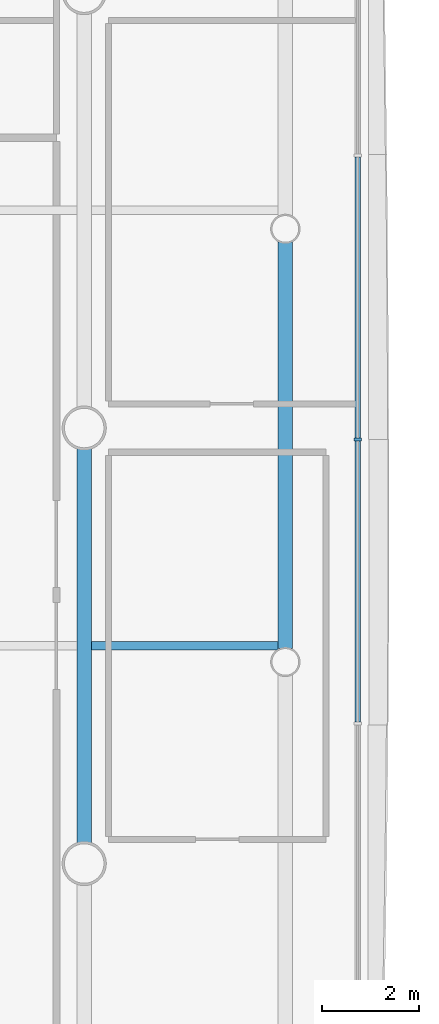
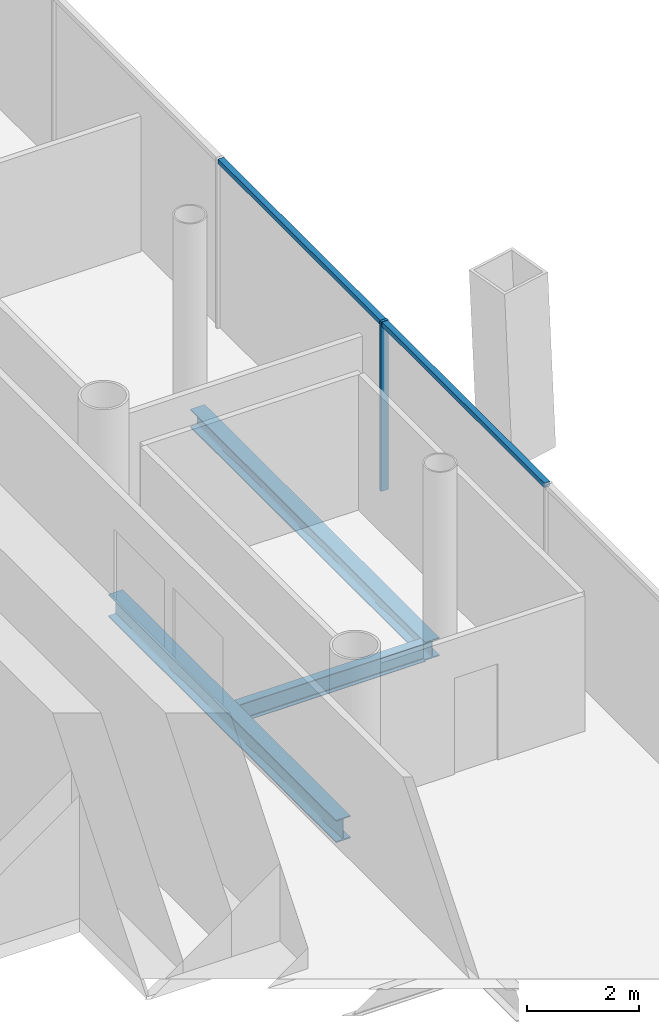
# One storey, part 6 of 21: 3 beams, 3 members, 1 element without a shape of its own.
"""IFC4 building model written with IfcOpenShell, lengths in metres."""

import ifcopenshell
import ifcopenshell.guid

model = None  # the IFC model being written
_history = None  # IfcOwnerHistory: only IFC2X3 demands one
_inside = {}  # id of a spatial element -> (the spatial element, [elements in it])
_under = {}  # id of a project, library or spatial element -> (it, [spatial elements below it])
_declared = {}  # id of a project -> (the project, [libraries it declares])
_typed = {}  # id of a type object -> (the type object, [elements of that type])
_made_of = {}  # id of a material, layer set ... -> (it, [elements and type objects made of it])


def new_model(schema):
    """Start an empty IFC model of exactly this schema.

    Asked for "IFC4X3", IfcOpenShell would pick the latest addendum, in which some entities
    have other attributes; the version numbers below select the first issue.
    IFC2X3 requires an IfcOwnerHistory on every rooted entity: one is made here for all.
    """
    global model, _history
    if schema == "IFC4X3":
        model = ifcopenshell.file(schema_version=(4, 3, 0, 0))
    else:
        model = ifcopenshell.file(schema=schema)
    _inside.clear()
    _under.clear()
    _declared.clear()
    _typed.clear()
    _made_of.clear()
    _history = None
    if model.schema == "IFC2X3":
        org = make("IfcOrganization", Name="unknown")
        user = make(
            "IfcPersonAndOrganization",
            ThePerson=make("IfcPerson", FamilyName="unknown"),
            TheOrganization=org,
        )
        app = make(
            "IfcApplication",
            ApplicationDeveloper=org,
            Version="unknown",
            ApplicationFullName="unknown",
            ApplicationIdentifier="unknown",
        )
        _history = make(
            "IfcOwnerHistory",
            OwningUser=user,
            OwningApplication=app,
            ChangeAction="ADDED",
            CreationDate=0,
        )
    return model


def make(cls, **values):
    """One entity of the class cls with the attributes given. An attribute that is None is left unset."""
    return model.create_entity(
        cls, **{name: value for name, value in values.items() if value is not None}
    )


def rooted(cls, **values):
    """An entity with a GlobalId (a new one), such as an element, a storey or a relation."""
    return make(cls, GlobalId=ifcopenshell.guid.new(), OwnerHistory=_history, **values)


def si_unit(unit_type, name, prefix=None):
    """IfcSIUnit, for example si_unit("LENGTHUNIT", "METRE", prefix="MILLI")."""
    return make("IfcSIUnit", UnitType=unit_type, Prefix=prefix, Name=name)


def assignment(units):
    """IfcUnitAssignment: the units of a project."""
    return None if units is None else make("IfcUnitAssignment", Units=units)


def point(xyz):
    """IfcCartesianPoint."""
    return None if xyz is None else make("IfcCartesianPoint", Coordinates=xyz)


def direction(xyz):
    """IfcDirection."""
    return None if xyz is None else make("IfcDirection", DirectionRatios=xyz)


def frame(location, z_axis=None, x_axis=None):
    """IfcAxis2Placement3D, a coordinate frame: its origin and axes. An axis left out is left unset."""
    return make(
        "IfcAxis2Placement3D",
        Location=point(location),
        Axis=direction(z_axis),
        RefDirection=direction(x_axis),
    )


def frame_2d(location, x_axis=None):
    """IfcAxis2Placement2D, a coordinate frame in the plane: its origin and x axis."""
    return make(
        "IfcAxis2Placement2D", Location=point(location), RefDirection=direction(x_axis)
    )


def origin():
    """The frame at (0, 0, 0) with its axes left unset."""
    return frame((0.0, 0.0, 0.0))


def origin_2d():
    """The frame at (0, 0) in the plane with its x axis left unset."""
    return frame_2d((0.0, 0.0))


def place(relative_to, where):
    """IfcLocalPlacement: puts the frame where relative to a parent placement (None: the world)."""
    return make(
        "IfcLocalPlacement", PlacementRelTo=relative_to, RelativePlacement=where
    )


def context(
    kind, dimensions, precision=None, world=None, true_north=None, identifier=None
):
    """IfcGeometricRepresentationContext, for example the 3D "Model" context."""
    return make(
        "IfcGeometricRepresentationContext",
        ContextIdentifier=identifier,
        ContextType=kind,
        CoordinateSpaceDimension=dimensions,
        Precision=precision,
        WorldCoordinateSystem=world,
        TrueNorth=true_north,
    )


def subcontext(parent, identifier, kind, view, scale=None):
    """IfcGeometricRepresentationSubContext, for example "Body" below "Model"."""
    return make(
        "IfcGeometricRepresentationSubContext",
        ContextIdentifier=identifier,
        ContextType=kind,
        ParentContext=parent,
        TargetScale=scale,
        TargetView=view,
    )


def project(units=None, contexts=None):
    """IfcProject with its units and contexts."""
    return rooted(
        "IfcProject",
        Name="project",
        RepresentationContexts=contexts,
        UnitsInContext=assignment(units),
    )


def spatial(cls, under=None, at=None, **own):
    """A site, building, storey or space (cls), placed at a placement, below another one or the project."""
    s = rooted(cls, ObjectPlacement=at, **own)
    if under is not None:
        _under.setdefault(under.id(), (under, []))[1].append(s)
    return s


def profile(cls, at=None, kind="AREA", **sizes):
    """A parametric profile (cls). Its sizes go by their IFC names, for example OverallWidth=200.0."""
    return make(cls, ProfileType=kind, Position=at, **sizes)


def rectangle(**sizes):
    """IfcRectangleProfileDef."""
    return profile("IfcRectangleProfileDef", **sizes)


def i_section(**sizes):
    """IfcIShapeProfileDef."""
    return profile("IfcIShapeProfileDef", **sizes)


def extrude(swept, where, along, depth):
    """IfcExtrudedAreaSolid: the profile swept, set in the frame where, extruded along a direction by depth."""
    return make(
        "IfcExtrudedAreaSolid",
        SweptArea=swept,
        Position=where,
        ExtrudedDirection=direction(along),
        Depth=depth,
    )


def shape(context_of_items, identifier, shape_type, items):
    """IfcShapeRepresentation: the items that make up one representation, for example the "Body"."""
    return make(
        "IfcShapeRepresentation",
        ContextOfItems=context_of_items,
        RepresentationIdentifier=identifier,
        RepresentationType=shape_type,
        Items=items,
    )


def material(Name=None, Category=None):
    """IfcMaterial."""
    return make("IfcMaterial", Name=Name, Category=Category)


def material_profile(
    of_material, cross_section, Name=None, Category=None, Priority=None
):
    """IfcMaterialProfile: a cross section and its material."""
    return make(
        "IfcMaterialProfile",
        Name=Name,
        Material=of_material,
        Profile=cross_section,
        Priority=Priority,
        Category=Category,
    )


def profile_set(profiles, Name=None, composite=None):
    """IfcMaterialProfileSet."""
    return make(
        "IfcMaterialProfileSet",
        Name=Name,
        MaterialProfiles=profiles,
        CompositeProfile=composite,
    )


def made_of(thing, what):
    """Note that an element or type object is made of a material, layer set ...; save() writes the relation."""
    if what is not None:
        _made_of.setdefault(what.id(), (what, []))[1].append(thing)
    return thing


def type_object(cls, material=None, **own):
    """A type object (cls), such as IfcWallType, which elements share."""
    return made_of(rooted(cls, **own), material)


def element(
    cls,
    number,
    at=None,
    inside=None,
    cuts=None,
    type_object=None,
    material=None,
    context=None,
    identifier="Body",
    shape_type=None,
    held_by="IfcProductDefinitionShape",
    body=None,
    shapes=None,
    **own,
):
    """One element of the class cls, such as IfcWall. Its Tag is "e" and its number.

    at: its placement. inside: the storey or other place that contains it. cuts: it is an
    opening in that element (IfcRelVoidsElement). A single representation is given by context,
    identifier, shape_type and body (its items); several are given by shapes. held_by: the class
    of the entity that holds the representations. save() writes the other relations.
    """
    e = rooted(cls, Tag="e%d" % number, ObjectPlacement=at, **own)
    if body is not None:
        shapes = [shape(context, identifier, shape_type, body)]
    if shapes is not None:
        e.Representation = make(held_by, Representations=shapes)
    if inside is not None:
        _inside.setdefault(inside.id(), (inside, []))[1].append(e)
    if cuts is not None:
        rooted(
            "IfcRelVoidsElement", RelatingBuildingElement=cuts, RelatedOpeningElement=e
        )
    if type_object is not None:
        _typed.setdefault(type_object.id(), (type_object, []))[1].append(e)
    return made_of(e, material)


def aggregate(whole, parts):
    """IfcRelAggregates: a whole, such as a stair, and the parts it consists of."""
    return rooted("IfcRelAggregates", RelatingObject=whole, RelatedObjects=parts)


def save(model, path):
    """Write the relations noted so far, then the file.

    IfcRelAggregates (storeys below a building ...), IfcRelContainedInSpatialStructure (elements
    in a storey), IfcRelDefinesByType, IfcRelAssociatesMaterial and IfcRelDeclares: one each for
    every whole, place, type object, material and project.
    """
    for whole, parts in _under.values():
        aggregate(whole, parts)
    for where, things in _inside.values():
        rooted(
            "IfcRelContainedInSpatialStructure",
            RelatedElements=things,
            RelatingStructure=where,
        )
    for kind, things in _typed.values():
        rooted("IfcRelDefinesByType", RelatedObjects=things, RelatingType=kind)
    for what, things in _made_of.values():
        rooted("IfcRelAssociatesMaterial", RelatedObjects=things, RelatingMaterial=what)
    for by, libraries in _declared.values():
        rooted("IfcRelDeclares", RelatingContext=by, RelatedDefinitions=libraries)
    model.write(path)


model = new_model("IFC4")

# Units and contexts
model_context = context("Model", 3, precision=1e-05, world=origin(), true_north=direction((0.0, 1.0)))
body_context = subcontext(model_context, "Body", "Model", "MODEL_VIEW")
ifc_project = project(units=[si_unit("LENGTHUNIT", "METRE"), si_unit("AREAUNIT", "SQUARE_METRE"), si_unit("VOLUMEUNIT", "CUBIC_METRE"), si_unit("PLANEANGLEUNIT", "RADIAN"), si_unit("MASSUNIT", "GRAM", prefix="KILO")], contexts=[model_context])

# Site, building, storey
site_placement = place(None, origin())
site = spatial("IfcSite", under=ifc_project, at=site_placement, CompositionType="ELEMENT")
building_placement = place(site_placement, origin())
building = spatial("IfcBuilding", under=site, at=building_placement, Name="Tskaro Facet Tower", CompositionType="ELEMENT")
storey_placement = place(building_placement, frame((0.0, 0.0, 42.0)))
storey = spatial("IfcBuildingStorey", under=building, at=storey_placement, Name="L09", CompositionType="ELEMENT", Elevation=42.0)

# Curtain wall, members
ifc_material_1 = material(Name="Bronze anodised aluminium 6063-T6", Category="aluminium")
curtain_wall_type = type_object("IfcCurtainWallType", Name="Bronze office curtain wall (FW1)", PredefinedType="NOTDEFINED", material=ifc_material_1)
curtain_wall_placement = place(storey_placement, origin())
curtain_wall = element("IfcCurtainWall", 1, at=curtain_wall_placement, inside=storey, type_object=curtain_wall_type, Name="FW1 east facet L09", PredefinedType="NOTDEFINED")
ifc_material_profile_1 = material_profile(ifc_material_1, rectangle(XDim=0.06005859375, YDim=0.159912109375, at=origin_2d()), Name="Mullion 60x160")
ifc_profile_set_1 = profile_set([ifc_material_profile_1], Name="Bronze anodised aluminium 6063-T6")
member_type_1 = type_object("IfcMemberType", Name="FW1 bronze mullion 60x160", PredefinedType="MULLION", material=ifc_profile_set_1)
member_1_placement = place(storey_placement, frame((23.654052734375, -0.239013671875, 0.0), z_axis=(0.0, 0.0, 1.0), x_axis=(0.0, 1.0, 0.0)))
member_1 = element("IfcMember", 2, at=member_1_placement, type_object=member_type_1, Name="FW1 east mullion 4", PredefinedType="MULLION", context=body_context, shape_type="SweptSolid", body=[
    extrude(rectangle(XDim=0.06005859375, YDim=0.159912109375, at=origin_2d()), origin(), (0.0, 0.0, 1.0), 3.699951171875),
])
ifc_material_profile_2 = material_profile(ifc_material_1, rectangle(XDim=0.1201171875, YDim=0.10009765625, at=origin_2d()), Name="Transom 120x100")
ifc_profile_set_2 = profile_set([ifc_material_profile_2], Name="Bronze anodised aluminium 6063-T6")
member_type_2 = type_object("IfcMemberType", Name="FW1 bronze transom 120x100", PredefinedType="USERDEFINED", material=ifc_profile_set_2)
member_2_placement = place(storey_placement, frame((23.654052734375, -6.077392578125, 3.64990234375), z_axis=(0.0, 1.0, 0.0), x_axis=(-1.0, 0.0, 0.0)))
member_2 = element("IfcMember", 3, at=member_2_placement, type_object=member_type_2, Name="FW1 east transom 4.1", ObjectType="TRANSOM", PredefinedType="USERDEFINED", context=body_context, shape_type="SweptSolid", body=[
    extrude(rectangle(XDim=0.1201171875, YDim=0.10009765625, at=origin_2d()), origin(), (0.0, 0.0, 1.0), 5.808349609375),
])
member_3_placement = place(storey_placement, frame((23.654052734375, -0.208984375, 3.64990234375), z_axis=(0.0, 1.0, 0.0), x_axis=(-1.0, 0.0, 0.0)))
member_3 = element("IfcMember", 4, at=member_3_placement, type_object=member_type_2, Name="FW1 east transom 5.1", ObjectType="TRANSOM", PredefinedType="USERDEFINED", context=body_context, shape_type="SweptSolid", body=[
    extrude(rectangle(XDim=0.1201171875, YDim=0.10009765625, at=origin_2d()), origin(), (0.0, 0.0, 1.0), 5.80859375),
])
aggregate(curtain_wall, [member_1, member_2, member_3])

# Beams
ifc_material_2 = material(Name="Steel S355J2", Category="steel")
ifc_material_profile_3 = material_profile(ifc_material_2, i_section(OverallWidth=0.300048828125, OverallDepth=0.39990234375, WebThickness=0.013427734375, FlangeThickness=0.02392578125, FilletRadius=0.027099609375, at=origin_2d()), Name="HE 400 B")
ifc_profile_set_3 = profile_set([ifc_material_profile_3], Name="Steel S355J2")
beam_type_1 = type_object("IfcBeamType", Name="HE 400 B ring beam", PredefinedType="BEAM", material=ifc_profile_set_3)
beam_1_placement = place(storey_placement, frame((22.156982421875, -4.55810546875, -0.340087890625), z_axis=(0.0, 1.0, 0.0), x_axis=(-1.0, 0.0, 0.0)))
element("IfcBeam", 5, at=beam_1_placement, inside=storey, type_object=beam_type_1, Name="HE 400 B EB10-1", PredefinedType="BEAM", context=body_context, shape_type="SweptSolid", body=[
    extrude(i_section(OverallWidth=0.300048828125, OverallDepth=0.39990234375, WebThickness=0.013427734375, FlangeThickness=0.02392578125, FilletRadius=0.027099609375, at=origin_2d()), origin(), (0.0, 0.0, 1.0), 8.399169921875),
])
ifc_material_profile_4 = material_profile(ifc_material_2, i_section(OverallWidth=0.300048828125, OverallDepth=0.489990234375, WebThickness=0.011962890625, FlangeThickness=0.02294921875, FilletRadius=0.027099609375, at=origin_2d()), Name="HE 500 A")
ifc_profile_set_4 = profile_set([ifc_material_profile_4], Name="Steel S355J2")
beam_type_2 = type_object("IfcBeamType", Name="HE 500 A girder", PredefinedType="BEAM", material=ifc_profile_set_4)
beam_2_placement = place(storey_placement, frame((18.0, -8.57275390625, -0.385009765625), z_axis=(0.0, 1.0, 0.0), x_axis=(-1.0, 0.0, 0.0)))
element("IfcBeam", 6, at=beam_2_placement, inside=storey, type_object=beam_type_2, Name="HE 500 A GB6-3-1", PredefinedType="BEAM", context=body_context, shape_type="SweptSolid", body=[
    extrude(i_section(OverallWidth=0.300048828125, OverallDepth=0.489990234375, WebThickness=0.011962890625, FlangeThickness=0.02294921875, FilletRadius=0.027099609375, at=origin_2d()), origin(), (0.0, 0.0, 1.0), 8.1455078125),
])
ifc_material_profile_5 = material_profile(ifc_material_2, i_section(OverallWidth=0.179931640625, OverallDepth=0.39990234375, WebThickness=0.008544921875, FlangeThickness=0.013427734375, FilletRadius=0.02099609375, at=origin_2d()), Name="IPE 400")
ifc_profile_set_5 = profile_set([ifc_material_profile_5], Name="Steel S355J2")
beam_type_3 = type_object("IfcBeamType", Name="IPE 400 secondary beam", PredefinedType="BEAM", material=ifc_profile_set_5)
beam_3_placement = place(storey_placement, frame((18.14990234375, -4.5, -0.340087890625), z_axis=(1.0, 0.0, 0.0), x_axis=(0.0, 1.0, 0.0)))
element("IfcBeam", 7, at=beam_3_placement, inside=storey, type_object=beam_type_3, Name="IPE 400 SB3a-4-1", PredefinedType="BEAM", context=body_context, shape_type="SweptSolid", body=[
    extrude(i_section(OverallWidth=0.179931640625, OverallDepth=0.39990234375, WebThickness=0.008544921875, FlangeThickness=0.013427734375, FilletRadius=0.02099609375, at=origin_2d()), origin(), (0.0, 0.0, 1.0), 3.857177734375),
])

save(model, "model.ifc")
